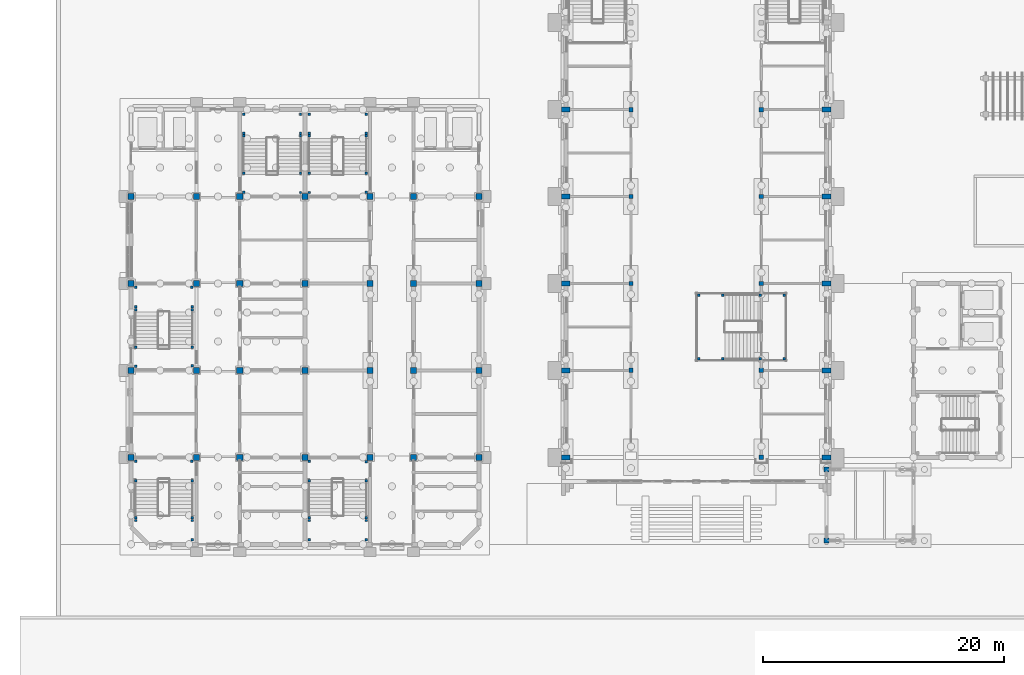
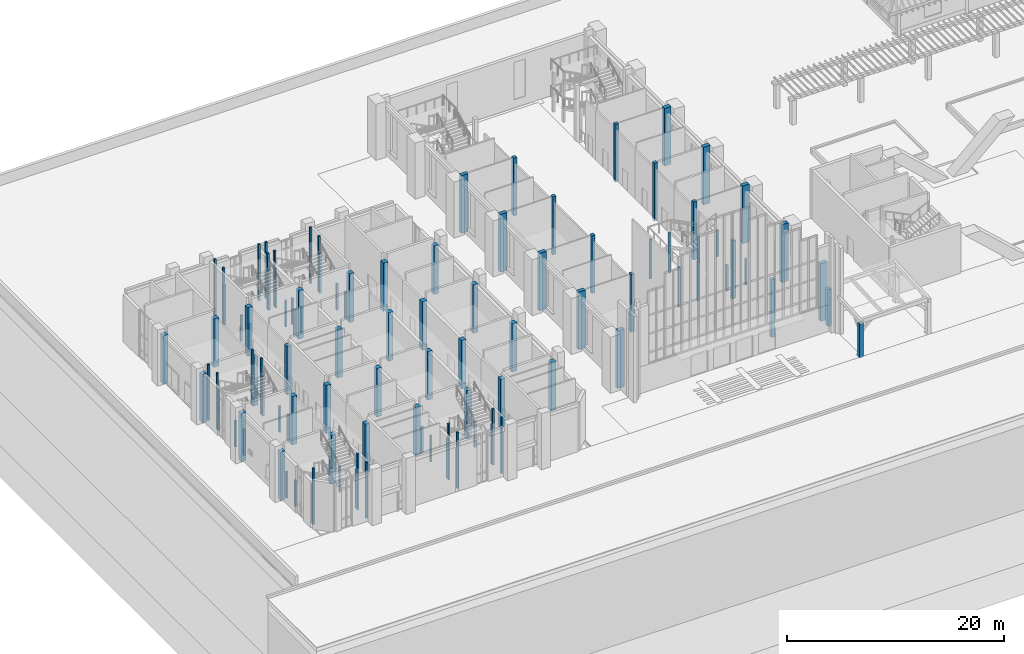
# One storey, part 4 of 84: 106 columns.
"""IFC4 building model written with IfcOpenShell, lengths in metres."""

from ifc_helpers import new_model, si_unit, direction, frame, origin, origin_2d, place, context, subcontext, project, spatial, rectangle, extrude, material, material_profile, profile_set, type_object, element, save


model = new_model("IFC4")

# Units and contexts
model_context = context("Model", 3, precision=1e-05, world=origin(), true_north=direction((0.0, 1.0)))
body_context = subcontext(model_context, "Body", "Model", "MODEL_VIEW")
ifc_project = project(units=[si_unit("LENGTHUNIT", "METRE"), si_unit("AREAUNIT", "SQUARE_METRE"), si_unit("VOLUMEUNIT", "CUBIC_METRE"), si_unit("PLANEANGLEUNIT", "RADIAN"), si_unit("MASSUNIT", "GRAM", prefix="KILO")], contexts=[model_context])

# Site, building, storey
site_placement = place(None, origin())
site = spatial("IfcSite", under=ifc_project, at=site_placement, CompositionType="ELEMENT")
building_placement = place(site_placement, origin())
building = spatial("IfcBuilding", under=site, at=building_placement, Name="Mazhai Court Health Centre", CompositionType="ELEMENT")
storey_placement = place(building_placement, origin())
storey = spatial("IfcBuildingStorey", under=building, at=storey_placement, Name="L00", CompositionType="ELEMENT", Elevation=0.0)

# Columns
ifc_material_1 = material(Name="Glulam GL28h", Category="wood")
ifc_material_profile_1 = material_profile(ifc_material_1, rectangle(XDim=0.360107421875, YDim=0.360107421875, at=origin_2d()), Name="GL28h 360x360")
ifc_profile_set_1 = profile_set([ifc_material_profile_1], Name="Glulam GL28h")
column_type_1 = type_object("IfcColumnType", Name="GL28h 360x360 column", PredefinedType="COLUMN", material=ifc_profile_set_1)
for number, where, z_axis, x_axis, name in (
    (1, (47.60009765625, 20.60009765625, -0.199951171875), (0.0, 0.0, 1.0), (1.0, 0.0, 0.0), "col-V1-L00-aW1"),
    (2, (47.60009765625, 27.800048828125, -0.199951171875), (0.0, 0.0, 1.0), (1.0, 0.0, 0.0), "col-V1-L00-aW2"),
    (3, (47.60009765625, 35.0, -0.199951171875), (0.0, 0.0, 1.0), (1.0, 0.0, 0.0), "col-V1-L00-aW3"),
    (4, (47.60009765625, 42.199951171875, -0.199951171875), (0.0, 0.0, 1.0), (1.0, 0.0, 0.0), "col-V1-L00-aW4"),
    (5, (58.39990234375, 13.39990234375, -0.199951171875), (0.0, 0.0, 1.0), (1.0, 0.0, 0.0), "col-V1-L00-aE0"),
    (6, (58.39990234375, 20.60009765625, -0.199951171875), (0.0, 0.0, 1.0), (1.0, 0.0, 0.0), "col-V1-L00-aE1"),
    (7, (58.39990234375, 27.800048828125, -0.199951171875), (0.0, 0.0, 1.0), (1.0, 0.0, 0.0), "col-V1-L00-aE2"),
    (8, (58.39990234375, 35.0, -0.199951171875), (0.0, 0.0, 1.0), (1.0, 0.0, 0.0), "col-V1-L00-aE3"),
    (9, (58.39990234375, 42.199951171875, -0.199951171875), (0.0, 0.0, 1.0), (1.0, 0.0, 0.0), "col-V1-L00-aE4"),
):
    element("IfcColumn", number, at=place(storey_placement, frame(where, z_axis=z_axis, x_axis=x_axis)), inside=storey, type_object=column_type_1, Name=name, PredefinedType="COLUMN", context=body_context, shape_type="SweptSolid", body=[
        extrude(rectangle(XDim=0.360107421875, YDim=0.360107421875, at=origin_2d()), origin(), (0.0, 0.0, 1.0), 6.5),
    ])
ifc_material_2 = material(Name="Glulam GL28h", Category="wood")
ifc_material_profile_2 = material_profile(ifc_material_2, rectangle(XDim=0.39990234375, YDim=0.39990234375, at=origin_2d()), Name="GL28h 400x400")
ifc_profile_set_2 = profile_set([ifc_material_profile_2], Name="Glulam GL28h")
column_type_2 = type_object("IfcColumnType", Name="GL28h 400x400 column", PredefinedType="COLUMN", material=ifc_profile_set_2)
column_1_placement = place(storey_placement, frame((63.800048828125, 6.5, -0.199951171875), z_axis=(0.0, 0.0, 1.0), x_axis=(1.0, 0.0, 0.0)))
element("IfcColumn", 10, at=column_1_placement, inside=storey, type_object=column_type_2, Name="col-AR-L00-f00", PredefinedType="COLUMN", context=body_context, shape_type="SweptSolid", body=[
    extrude(rectangle(XDim=0.39990234375, YDim=0.39990234375, at=origin_2d()), origin(), (0.0, 0.0, 1.0), 3.8056640625),
])
column_2_placement = place(storey_placement, frame((63.800048828125, 12.39990234375, -0.199951171875), z_axis=(0.0, 0.0, 1.0), x_axis=(1.0, 0.0, 0.0)))
element("IfcColumn", 11, at=column_2_placement, inside=storey, type_object=column_type_2, Name="col-AR-L00-r00", PredefinedType="COLUMN", context=body_context, shape_type="SweptSolid", body=[
    extrude(rectangle(XDim=0.39990234375, YDim=0.39990234375, at=origin_2d()), origin(), (0.0, 0.0, 1.0), 4.13330078125),
])
ifc_material_3 = material(Name="Glulam GL28h", Category="wood")
ifc_material_profile_3 = material_profile(ifc_material_3, rectangle(XDim=0.39990234375, YDim=0.719970703125, at=origin_2d()), Name="GL28h 400x720")
ifc_profile_set_3 = profile_set([ifc_material_profile_3], Name="Glulam GL28h")
column_type_3 = type_object("IfcColumnType", Name="GL28h 400x720 column", PredefinedType="COLUMN", material=ifc_profile_set_3)
for number, where, z_axis, x_axis, name in (
    (12, (42.199951171875, 13.39990234375, -0.199951171875), (0.0, 0.0, 1.0), (0.0, 1.0, 0.0), "col-V1-L00-wW0"),
    (13, (63.800048828125, 13.39990234375, -0.199951171875), (0.0, 0.0, 1.0), (0.0, 1.0, 0.0), "col-V1-L00-wE0"),
    (14, (42.199951171875, 20.60009765625, -0.199951171875), (0.0, 0.0, 1.0), (0.0, 1.0, 0.0), "col-V1-L00-wW1"),
    (15, (63.800048828125, 20.60009765625, -0.199951171875), (0.0, 0.0, 1.0), (0.0, 1.0, 0.0), "col-V1-L00-wE1"),
    (16, (42.199951171875, 27.800048828125, -0.199951171875), (0.0, 0.0, 1.0), (0.0, 1.0, 0.0), "col-V1-L00-wW2"),
    (17, (63.800048828125, 27.800048828125, -0.199951171875), (0.0, 0.0, 1.0), (0.0, 1.0, 0.0), "col-V1-L00-wE2"),
    (18, (42.199951171875, 35.0, -0.199951171875), (0.0, 0.0, 1.0), (0.0, 1.0, 0.0), "col-V1-L00-wW3"),
    (19, (63.800048828125, 35.0, -0.199951171875), (0.0, 0.0, 1.0), (0.0, 1.0, 0.0), "col-V1-L00-wE3"),
    (20, (42.199951171875, 42.199951171875, -0.199951171875), (0.0, 0.0, 1.0), (0.0, 1.0, 0.0), "col-V1-L00-wW4"),
    (21, (63.800048828125, 42.199951171875, -0.199951171875), (0.0, 0.0, 1.0), (0.0, 1.0, 0.0), "col-V1-L00-wE4"),
):
    element("IfcColumn", number, at=place(storey_placement, frame(where, z_axis=z_axis, x_axis=x_axis)), inside=storey, type_object=column_type_3, Name=name, PredefinedType="COLUMN", context=body_context, shape_type="SweptSolid", body=[
        extrude(rectangle(XDim=0.39990234375, YDim=0.719970703125, at=origin_2d()), origin(), (0.0, 0.0, 1.0), 6.5),
    ])
ifc_material_4 = material(Name="Concrete M40", Category="concrete")
ifc_material_profile_4 = material_profile(ifc_material_4, rectangle(XDim=0.5, YDim=0.5, at=origin_2d()), Name="RC 500x500")
ifc_profile_set_4 = profile_set([ifc_material_profile_4], Name="Concrete M40")
column_type_4 = type_object("IfcColumnType", Name="RC COLUMN 500x500 M40", PredefinedType="COLUMN", material=ifc_profile_set_4)
for number, where, z_axis, x_axis, name in (
    (22, (6.199951171875, 13.39990234375, -0.199951171875), (0.0, 0.0, 1.0), (1.0, 0.0, 0.0), "col-V2-L00-6.2-13.4"),
    (23, (6.199951171875, 20.60009765625, -0.199951171875), (0.0, 0.0, 1.0), (1.0, 0.0, 0.0), "col-V2-L00-6.2-20.6"),
    (24, (6.199951171875, 27.800048828125, -0.199951171875), (0.0, 0.0, 1.0), (1.0, 0.0, 0.0), "col-V2-L00-6.2-27.8"),
    (25, (6.199951171875, 35.0, -0.199951171875), (0.0, 0.0, 1.0), (1.0, 0.0, 0.0), "col-V2-L00-6.2-35"),
    (26, (11.60009765625, 13.39990234375, -0.199951171875), (0.0, 0.0, 1.0), (1.0, 0.0, 0.0), "col-V2-L00-11.6-13.4"),
    (27, (11.60009765625, 20.60009765625, -0.199951171875), (0.0, 0.0, 1.0), (1.0, 0.0, 0.0), "col-V2-L00-11.6-20.6"),
    (28, (11.60009765625, 27.800048828125, -0.199951171875), (0.0, 0.0, 1.0), (1.0, 0.0, 0.0), "col-V2-L00-11.6-27.8"),
    (29, (11.60009765625, 35.0, -0.199951171875), (0.0, 0.0, 1.0), (1.0, 0.0, 0.0), "col-V2-L00-11.6-35"),
    (30, (15.199951171875, 13.39990234375, -0.199951171875), (0.0, 0.0, 1.0), (1.0, 0.0, 0.0), "col-V2-L00-15.2-13.4"),
    (31, (15.199951171875, 20.60009765625, -0.199951171875), (0.0, 0.0, 1.0), (1.0, 0.0, 0.0), "col-V2-L00-15.2-20.6"),
    (32, (15.199951171875, 27.800048828125, -0.199951171875), (0.0, 0.0, 1.0), (1.0, 0.0, 0.0), "col-V2-L00-15.2-27.8"),
    (33, (15.199951171875, 35.0, -0.199951171875), (0.0, 0.0, 1.0), (1.0, 0.0, 0.0), "col-V2-L00-15.2-35"),
    (34, (20.60009765625, 13.39990234375, -0.199951171875), (0.0, 0.0, 1.0), (1.0, 0.0, 0.0), "col-V2-L00-20.6-13.4"),
    (35, (20.60009765625, 20.60009765625, -0.199951171875), (0.0, 0.0, 1.0), (1.0, 0.0, 0.0), "col-V2-L00-20.6-20.6"),
    (36, (20.60009765625, 27.800048828125, -0.199951171875), (0.0, 0.0, 1.0), (1.0, 0.0, 0.0), "col-V2-L00-20.6-27.8"),
    (37, (20.60009765625, 35.0, -0.199951171875), (0.0, 0.0, 1.0), (1.0, 0.0, 0.0), "col-V2-L00-20.6-35"),
    (38, (26.0, 13.39990234375, -0.199951171875), (0.0, 0.0, 1.0), (1.0, 0.0, 0.0), "col-V5-L00-26-13.4"),
    (39, (26.0, 20.60009765625, -0.199951171875), (0.0, 0.0, 1.0), (1.0, 0.0, 0.0), "col-V5-L00-26-20.6"),
    (40, (26.0, 27.800048828125, -0.199951171875), (0.0, 0.0, 1.0), (1.0, 0.0, 0.0), "col-V5-L00-26-27.8"),
    (41, (26.0, 35.0, -0.199951171875), (0.0, 0.0, 1.0), (1.0, 0.0, 0.0), "col-V5-L00-26-35"),
    (42, (29.60009765625, 13.39990234375, -0.199951171875), (0.0, 0.0, 1.0), (1.0, 0.0, 0.0), "col-V5-L00-29.6-13.4"),
    (43, (29.60009765625, 20.60009765625, -0.199951171875), (0.0, 0.0, 1.0), (1.0, 0.0, 0.0), "col-V5-L00-29.6-20.6"),
    (44, (29.60009765625, 27.800048828125, -0.199951171875), (0.0, 0.0, 1.0), (1.0, 0.0, 0.0), "col-V5-L00-29.6-27.8"),
    (45, (29.60009765625, 35.0, -0.199951171875), (0.0, 0.0, 1.0), (1.0, 0.0, 0.0), "col-V5-L00-29.6-35"),
    (46, (35.0, 13.39990234375, -0.199951171875), (0.0, 0.0, 1.0), (1.0, 0.0, 0.0), "col-V5-L00-35-13.4"),
    (47, (35.0, 20.60009765625, -0.199951171875), (0.0, 0.0, 1.0), (1.0, 0.0, 0.0), "col-V5-L00-35-20.6"),
    (48, (35.0, 27.800048828125, -0.199951171875), (0.0, 0.0, 1.0), (1.0, 0.0, 0.0), "col-V5-L00-35-27.8"),
    (49, (35.0, 35.0, -0.199951171875), (0.0, 0.0, 1.0), (1.0, 0.0, 0.0), "col-V5-L00-35-35"),
):
    element("IfcColumn", number, at=place(storey_placement, frame(where, z_axis=z_axis, x_axis=x_axis)), inside=storey, type_object=column_type_4, Name=name, PredefinedType="COLUMN", context=body_context, shape_type="SweptSolid", body=[
        extrude(rectangle(XDim=0.5, YDim=0.5, at=origin_2d()), origin(), (0.0, 0.0, 1.0), 5.449951171875),
    ])
ifc_material_5 = material(Name="Concrete M40", Category="concrete")
ifc_material_profile_5 = material_profile(ifc_material_5, rectangle(XDim=0.199951171875, YDim=0.199951171875, at=origin_2d()), Name="RC 200x200")
ifc_profile_set_5 = profile_set([ifc_material_profile_5], Name="Concrete M40")
column_type_5 = type_object("IfcColumnType", Name="RC STAIR LANDING POST 200 M40", PredefinedType="COLUMN", material=ifc_profile_set_5)
column_3_placement = place(storey_placement, frame((6.570068359375, 8.3798828125, 0.0), z_axis=(0.0, 0.0, 1.0), x_axis=(1.0, 0.0, 0.0)))
element("IfcColumn", 50, at=column_3_placement, inside=storey, type_object=column_type_5, Name="post-ST1-01", PredefinedType="COLUMN", context=body_context, shape_type="SweptSolid", body=[
    extrude(rectangle(XDim=0.199951171875, YDim=0.199951171875, at=origin_2d()), origin(), (0.0, 0.0, 1.0), 4.449951171875),
])
column_4_placement = place(storey_placement, frame((11.280029296875, 6.570068359375, 0.0), z_axis=(0.0, 0.0, 1.0), x_axis=(1.0, 0.0, 0.0)))
element("IfcColumn", 51, at=column_4_placement, inside=storey, type_object=column_type_5, Name="post-ST1-02", PredefinedType="COLUMN", context=body_context, shape_type="SweptSolid", body=[
    extrude(rectangle(XDim=0.199951171875, YDim=0.199951171875, at=origin_2d()), origin(), (0.0, 0.0, 1.0), 6.300048828125),
])
column_5_placement = place(storey_placement, frame((11.280029296875, 8.3798828125, 0.0), z_axis=(0.0, 0.0, 1.0), x_axis=(1.0, 0.0, 0.0)))
element("IfcColumn", 52, at=column_5_placement, inside=storey, type_object=column_type_5, Name="post-ST1-05", PredefinedType="COLUMN", context=body_context, shape_type="SweptSolid", body=[
    extrude(rectangle(XDim=0.199951171875, YDim=0.199951171875, at=origin_2d()), origin(), (0.0, 0.0, 1.0), 4.449951171875),
])
for number, where, z_axis, x_axis, name in (
    (53, (6.570068359375, 11.469970703125, 0.0), (0.0, 0.0, 1.0), (1.0, 0.0, 0.0), "post-ST1-06"),
    (54, (6.570068359375, 13.080078125, 0.0), (0.0, 0.0, 1.0), (1.0, 0.0, 0.0), "post-ST1-07"),
    (55, (11.280029296875, 11.469970703125, 0.0), (0.0, 0.0, 1.0), (1.0, 0.0, 0.0), "post-ST1-08"),
    (56, (11.22998046875, 13.080078125, 0.0), (0.0, 0.0, 1.0), (1.0, 0.0, 0.0), "post-ST1-09"),
):
    element("IfcColumn", number, at=place(storey_placement, frame(where, z_axis=z_axis, x_axis=x_axis)), inside=storey, type_object=column_type_5, Name=name, PredefinedType="COLUMN", context=body_context, shape_type="SweptSolid", body=[
        extrude(rectangle(XDim=0.199951171875, YDim=0.199951171875, at=origin_2d()), origin(), (0.0, 0.0, 1.0), 2.949951171875),
    ])
for number, where, z_axis, x_axis, name in (
    (57, (6.570068359375, 8.169921875, 0.0), (0.0, 0.0, 1.0), (1.0, 0.0, 0.0), "post-ST1-10"),
    (58, (11.280029296875, 8.169921875, 0.0), (0.0, 0.0, 1.0), (1.0, 0.0, 0.0), "post-ST1-13"),
):
    element("IfcColumn", number, at=place(storey_placement, frame(where, z_axis=z_axis, x_axis=x_axis)), inside=storey, type_object=column_type_5, Name=name, PredefinedType="COLUMN", context=body_context, shape_type="SweptSolid", body=[
        extrude(rectangle(XDim=0.199951171875, YDim=0.199951171875, at=origin_2d()), origin(), (0.0, 0.0, 1.0), 6.300048828125),
    ])
column_6_placement = place(storey_placement, frame((6.570068359375, 25.6201171875, 0.0), z_axis=(0.0, 0.0, 1.0), x_axis=(1.0, 0.0, 0.0)))
element("IfcColumn", 59, at=column_6_placement, inside=storey, type_object=column_type_5, Name="post-ST2-01", PredefinedType="COLUMN", context=body_context, shape_type="SweptSolid", body=[
    extrude(rectangle(XDim=0.199951171875, YDim=0.199951171875, at=origin_2d()), origin(), (0.0, 0.0, 1.0), 4.449951171875),
])
column_7_placement = place(storey_placement, frame((6.570068359375, 27.47998046875, 0.0), z_axis=(0.0, 0.0, 1.0), x_axis=(1.0, 0.0, 0.0)))
element("IfcColumn", 60, at=column_7_placement, inside=storey, type_object=column_type_5, Name="post-ST2-02", PredefinedType="COLUMN", context=body_context, shape_type="SweptSolid", body=[
    extrude(rectangle(XDim=0.199951171875, YDim=0.199951171875, at=origin_2d()), origin(), (0.0, 0.0, 1.0), 6.300048828125),
])
column_8_placement = place(storey_placement, frame((11.280029296875, 25.6201171875, 0.0), z_axis=(0.0, 0.0, 1.0), x_axis=(1.0, 0.0, 0.0)))
element("IfcColumn", 61, at=column_8_placement, inside=storey, type_object=column_type_5, Name="post-ST2-05", PredefinedType="COLUMN", context=body_context, shape_type="SweptSolid", body=[
    extrude(rectangle(XDim=0.199951171875, YDim=0.199951171875, at=origin_2d()), origin(), (0.0, 0.0, 1.0), 4.449951171875),
])
column_9_placement = place(storey_placement, frame((11.22998046875, 27.47998046875, 0.0), z_axis=(0.0, 0.0, 1.0), x_axis=(1.0, 0.0, 0.0)))
element("IfcColumn", 62, at=column_9_placement, inside=storey, type_object=column_type_5, Name="post-ST2-06", PredefinedType="COLUMN", context=body_context, shape_type="SweptSolid", body=[
    extrude(rectangle(XDim=0.199951171875, YDim=0.199951171875, at=origin_2d()), origin(), (0.0, 0.0, 1.0), 6.300048828125),
])
for number, where, z_axis, x_axis, name in (
    (63, (6.570068359375, 20.929931640625, 0.0), (0.0, 0.0, 1.0), (1.0, 0.0, 0.0), "post-ST2-09"),
    (64, (6.570068359375, 22.530029296875, 0.0), (0.0, 0.0, 1.0), (1.0, 0.0, 0.0), "post-ST2-10"),
    (65, (11.280029296875, 20.969970703125, 0.0), (0.0, 0.0, 1.0), (1.0, 0.0, 0.0), "post-ST2-11"),
    (66, (11.280029296875, 22.530029296875, 0.0), (0.0, 0.0, 1.0), (1.0, 0.0, 0.0), "post-ST2-12"),
):
    element("IfcColumn", number, at=place(storey_placement, frame(where, z_axis=z_axis, x_axis=x_axis)), inside=storey, type_object=column_type_5, Name=name, PredefinedType="COLUMN", context=body_context, shape_type="SweptSolid", body=[
        extrude(rectangle(XDim=0.199951171875, YDim=0.199951171875, at=origin_2d()), origin(), (0.0, 0.0, 1.0), 2.949951171875),
    ])
for number, where, z_axis, x_axis, name in (
    (67, (6.570068359375, 25.8798828125, 0.0), (0.0, 0.0, 1.0), (1.0, 0.0, 0.0), "post-ST2-13"),
    (68, (11.280029296875, 25.8798828125, 0.0), (0.0, 0.0, 1.0), (1.0, 0.0, 0.0), "post-ST2-16"),
):
    element("IfcColumn", number, at=place(storey_placement, frame(where, z_axis=z_axis, x_axis=x_axis)), inside=storey, type_object=column_type_5, Name=name, PredefinedType="COLUMN", context=body_context, shape_type="SweptSolid", body=[
        extrude(rectangle(XDim=0.199951171875, YDim=0.199951171875, at=origin_2d()), origin(), (0.0, 0.0, 1.0), 6.300048828125),
    ])
column_10_placement = place(storey_placement, frame((15.52001953125, 40.030029296875, 0.0), z_axis=(0.0, 0.0, 1.0), x_axis=(1.0, 0.0, 0.0)))
element("IfcColumn", 69, at=column_10_placement, inside=storey, type_object=column_type_5, Name="post-ST3-01", PredefinedType="COLUMN", context=body_context, shape_type="SweptSolid", body=[
    extrude(rectangle(XDim=0.199951171875, YDim=0.199951171875, at=origin_2d()), origin(), (0.0, 0.0, 1.0), 4.449951171875),
])
column_11_placement = place(storey_placement, frame((15.52001953125, 41.830078125, 0.0), z_axis=(0.0, 0.0, 1.0), x_axis=(1.0, 0.0, 0.0)))
element("IfcColumn", 70, at=column_11_placement, inside=storey, type_object=column_type_5, Name="post-ST3-02", PredefinedType="COLUMN", context=body_context, shape_type="SweptSolid", body=[
    extrude(rectangle(XDim=0.199951171875, YDim=0.199951171875, at=origin_2d()), origin(), (0.0, 0.0, 1.0), 6.300048828125),
])
column_12_placement = place(storey_placement, frame((20.22998046875, 40.030029296875, 0.0), z_axis=(0.0, 0.0, 1.0), x_axis=(1.0, 0.0, 0.0)))
element("IfcColumn", 71, at=column_12_placement, inside=storey, type_object=column_type_5, Name="post-ST3-06", PredefinedType="COLUMN", context=body_context, shape_type="SweptSolid", body=[
    extrude(rectangle(XDim=0.199951171875, YDim=0.199951171875, at=origin_2d()), origin(), (0.0, 0.0, 1.0), 4.449951171875),
])
column_13_placement = place(storey_placement, frame((20.22998046875, 41.830078125, 0.0), z_axis=(0.0, 0.0, 1.0), x_axis=(1.0, 0.0, 0.0)))
element("IfcColumn", 72, at=column_13_placement, inside=storey, type_object=column_type_5, Name="post-ST3-07", PredefinedType="COLUMN", context=body_context, shape_type="SweptSolid", body=[
    extrude(rectangle(XDim=0.199951171875, YDim=0.199951171875, at=origin_2d()), origin(), (0.0, 0.0, 1.0), 6.300048828125),
])
for number, where, z_axis, x_axis, name in (
    (73, (15.52001953125, 35.3701171875, 0.0), (0.0, 0.0, 1.0), (1.0, 0.0, 0.0), "post-ST3-11"),
    (74, (15.52001953125, 36.919921875, 0.0), (0.0, 0.0, 1.0), (1.0, 0.0, 0.0), "post-ST3-12"),
    (75, (20.22998046875, 35.330078125, 0.0), (0.0, 0.0, 1.0), (1.0, 0.0, 0.0), "post-ST3-13"),
    (76, (20.22998046875, 36.919921875, 0.0), (0.0, 0.0, 1.0), (1.0, 0.0, 0.0), "post-ST3-14"),
):
    element("IfcColumn", number, at=place(storey_placement, frame(where, z_axis=z_axis, x_axis=x_axis)), inside=storey, type_object=column_type_5, Name=name, PredefinedType="COLUMN", context=body_context, shape_type="SweptSolid", body=[
        extrude(rectangle(XDim=0.199951171875, YDim=0.199951171875, at=origin_2d()), origin(), (0.0, 0.0, 1.0), 2.949951171875),
    ])
for number, where, z_axis, x_axis, name in (
    (77, (15.52001953125, 40.22998046875, 0.0), (0.0, 0.0, 1.0), (1.0, 0.0, 0.0), "post-ST3-15"),
    (78, (20.22998046875, 40.22998046875, 0.0), (0.0, 0.0, 1.0), (1.0, 0.0, 0.0), "post-ST3-19"),
    (79, (20.9599609375, 6.570068359375, 0.0), (0.0, 0.0, 1.0), (1.0, 0.0, 0.0), "post-ST4-01"),
):
    element("IfcColumn", number, at=place(storey_placement, frame(where, z_axis=z_axis, x_axis=x_axis)), inside=storey, type_object=column_type_5, Name=name, PredefinedType="COLUMN", context=body_context, shape_type="SweptSolid", body=[
        extrude(rectangle(XDim=0.199951171875, YDim=0.199951171875, at=origin_2d()), origin(), (0.0, 0.0, 1.0), 6.300048828125),
    ])
column_14_placement = place(storey_placement, frame((20.9599609375, 8.3798828125, 0.0), z_axis=(0.0, 0.0, 1.0), x_axis=(1.0, 0.0, 0.0)))
element("IfcColumn", 80, at=column_14_placement, inside=storey, type_object=column_type_5, Name="post-ST4-04", PredefinedType="COLUMN", context=body_context, shape_type="SweptSolid", body=[
    extrude(rectangle(XDim=0.199951171875, YDim=0.199951171875, at=origin_2d()), origin(), (0.0, 0.0, 1.0), 4.449951171875),
])
column_15_placement = place(storey_placement, frame((25.679931640625, 6.570068359375, 0.0), z_axis=(0.0, 0.0, 1.0), x_axis=(1.0, 0.0, 0.0)))
element("IfcColumn", 81, at=column_15_placement, inside=storey, type_object=column_type_5, Name="post-ST4-05", PredefinedType="COLUMN", context=body_context, shape_type="SweptSolid", body=[
    extrude(rectangle(XDim=0.199951171875, YDim=0.199951171875, at=origin_2d()), origin(), (0.0, 0.0, 1.0), 6.300048828125),
])
column_16_placement = place(storey_placement, frame((25.679931640625, 8.3798828125, 0.0), z_axis=(0.0, 0.0, 1.0), x_axis=(1.0, 0.0, 0.0)))
element("IfcColumn", 82, at=column_16_placement, inside=storey, type_object=column_type_5, Name="post-ST4-08", PredefinedType="COLUMN", context=body_context, shape_type="SweptSolid", body=[
    extrude(rectangle(XDim=0.199951171875, YDim=0.199951171875, at=origin_2d()), origin(), (0.0, 0.0, 1.0), 4.449951171875),
])
for number, where, z_axis, x_axis, name in (
    (83, (20.9599609375, 11.469970703125, 0.0), (0.0, 0.0, 1.0), (1.0, 0.0, 0.0), "post-ST4-09"),
    (84, (20.9599609375, 13.080078125, 0.0), (0.0, 0.0, 1.0), (1.0, 0.0, 0.0), "post-ST4-10"),
    (85, (25.679931640625, 11.469970703125, 0.0), (0.0, 0.0, 1.0), (1.0, 0.0, 0.0), "post-ST4-11"),
    (86, (25.679931640625, 13.030029296875, 0.0), (0.0, 0.0, 1.0), (1.0, 0.0, 0.0), "post-ST4-12"),
):
    element("IfcColumn", number, at=place(storey_placement, frame(where, z_axis=z_axis, x_axis=x_axis)), inside=storey, type_object=column_type_5, Name=name, PredefinedType="COLUMN", context=body_context, shape_type="SweptSolid", body=[
        extrude(rectangle(XDim=0.199951171875, YDim=0.199951171875, at=origin_2d()), origin(), (0.0, 0.0, 1.0), 2.949951171875),
    ])
for number, where, z_axis, x_axis, name in (
    (87, (20.9599609375, 8.169921875, 0.0), (0.0, 0.0, 1.0), (1.0, 0.0, 0.0), "post-ST4-13"),
    (88, (25.679931640625, 8.169921875, 0.0), (0.0, 0.0, 1.0), (1.0, 0.0, 0.0), "post-ST4-16"),
):
    element("IfcColumn", number, at=place(storey_placement, frame(where, z_axis=z_axis, x_axis=x_axis)), inside=storey, type_object=column_type_5, Name=name, PredefinedType="COLUMN", context=body_context, shape_type="SweptSolid", body=[
        extrude(rectangle(XDim=0.199951171875, YDim=0.199951171875, at=origin_2d()), origin(), (0.0, 0.0, 1.0), 6.300048828125),
    ])
column_17_placement = place(storey_placement, frame((20.9599609375, 40.030029296875, 0.0), z_axis=(0.0, 0.0, 1.0), x_axis=(1.0, 0.0, 0.0)))
element("IfcColumn", 89, at=column_17_placement, inside=storey, type_object=column_type_5, Name="post-ST5-01", PredefinedType="COLUMN", context=body_context, shape_type="SweptSolid", body=[
    extrude(rectangle(XDim=0.199951171875, YDim=0.199951171875, at=origin_2d()), origin(), (0.0, 0.0, 1.0), 4.449951171875),
])
column_18_placement = place(storey_placement, frame((20.9599609375, 41.830078125, 0.0), z_axis=(0.0, 0.0, 1.0), x_axis=(1.0, 0.0, 0.0)))
element("IfcColumn", 90, at=column_18_placement, inside=storey, type_object=column_type_5, Name="post-ST5-02", PredefinedType="COLUMN", context=body_context, shape_type="SweptSolid", body=[
    extrude(rectangle(XDim=0.199951171875, YDim=0.199951171875, at=origin_2d()), origin(), (0.0, 0.0, 1.0), 6.300048828125),
])
column_19_placement = place(storey_placement, frame((25.679931640625, 40.030029296875, 0.0), z_axis=(0.0, 0.0, 1.0), x_axis=(1.0, 0.0, 0.0)))
element("IfcColumn", 91, at=column_19_placement, inside=storey, type_object=column_type_5, Name="post-ST5-05", PredefinedType="COLUMN", context=body_context, shape_type="SweptSolid", body=[
    extrude(rectangle(XDim=0.199951171875, YDim=0.199951171875, at=origin_2d()), origin(), (0.0, 0.0, 1.0), 4.449951171875),
])
column_20_placement = place(storey_placement, frame((25.679931640625, 41.830078125, 0.0), z_axis=(0.0, 0.0, 1.0), x_axis=(1.0, 0.0, 0.0)))
element("IfcColumn", 92, at=column_20_placement, inside=storey, type_object=column_type_5, Name="post-ST5-06", PredefinedType="COLUMN", context=body_context, shape_type="SweptSolid", body=[
    extrude(rectangle(XDim=0.199951171875, YDim=0.199951171875, at=origin_2d()), origin(), (0.0, 0.0, 1.0), 6.300048828125),
])
for number, where, z_axis, x_axis, name in (
    (93, (20.9599609375, 35.330078125, 0.0), (0.0, 0.0, 1.0), (1.0, 0.0, 0.0), "post-ST5-09"),
    (94, (20.9599609375, 36.919921875, 0.0), (0.0, 0.0, 1.0), (1.0, 0.0, 0.0), "post-ST5-10"),
    (95, (25.679931640625, 35.3701171875, 0.0), (0.0, 0.0, 1.0), (1.0, 0.0, 0.0), "post-ST5-11"),
    (96, (25.679931640625, 36.919921875, 0.0), (0.0, 0.0, 1.0), (1.0, 0.0, 0.0), "post-ST5-12"),
):
    element("IfcColumn", number, at=place(storey_placement, frame(where, z_axis=z_axis, x_axis=x_axis)), inside=storey, type_object=column_type_5, Name=name, PredefinedType="COLUMN", context=body_context, shape_type="SweptSolid", body=[
        extrude(rectangle(XDim=0.199951171875, YDim=0.199951171875, at=origin_2d()), origin(), (0.0, 0.0, 1.0), 2.949951171875),
    ])
for number, where, z_axis, x_axis, name in (
    (97, (20.9599609375, 40.22998046875, 0.0), (0.0, 0.0, 1.0), (1.0, 0.0, 0.0), "post-ST5-13"),
    (98, (25.679931640625, 40.22998046875, 0.0), (0.0, 0.0, 1.0), (1.0, 0.0, 0.0), "post-ST5-16"),
):
    element("IfcColumn", number, at=place(storey_placement, frame(where, z_axis=z_axis, x_axis=x_axis)), inside=storey, type_object=column_type_5, Name=name, PredefinedType="COLUMN", context=body_context, shape_type="SweptSolid", body=[
        extrude(rectangle(XDim=0.199951171875, YDim=0.199951171875, at=origin_2d()), origin(), (0.0, 0.0, 1.0), 6.300048828125),
    ])
for number, where, z_axis, x_axis, name in (
    (99, (53.199951171875, 21.570068359375, 0.0), (0.0, 0.0, 1.0), (1.0, 0.0, 0.0), "post-ST13-01"),
    (100, (53.199951171875, 26.820068359375, 0.0), (0.0, 0.0, 1.0), (1.0, 0.0, 0.0), "post-ST13-02"),
    (101, (55.199951171875, 21.570068359375, 0.0), (0.0, 0.0, 1.0), (1.0, 0.0, 0.0), "post-ST13-03"),
    (102, (55.199951171875, 26.820068359375, 0.0), (0.0, 0.0, 1.0), (1.0, 0.0, 0.0), "post-ST13-04"),
):
    element("IfcColumn", number, at=place(storey_placement, frame(where, z_axis=z_axis, x_axis=x_axis)), inside=storey, type_object=column_type_5, Name=name, PredefinedType="COLUMN", context=body_context, shape_type="SweptSolid", body=[
        extrude(rectangle(XDim=0.199951171875, YDim=0.199951171875, at=origin_2d()), origin(), (0.0, 0.0, 1.0), 4.449951171875),
    ])
for number, where, z_axis, x_axis, name in (
    (103, (58.300048828125, 21.570068359375, 0.0), (0.0, 0.0, 1.0), (1.0, 0.0, 0.0), "post-ST13-05"),
    (104, (58.300048828125, 26.820068359375, 0.0), (0.0, 0.0, 1.0), (1.0, 0.0, 0.0), "post-ST13-06"),
    (105, (60.300048828125, 21.570068359375, 0.0), (0.0, 0.0, 1.0), (1.0, 0.0, 0.0), "post-ST13-07"),
    (106, (60.300048828125, 26.820068359375, 0.0), (0.0, 0.0, 1.0), (1.0, 0.0, 0.0), "post-ST13-08"),
):
    element("IfcColumn", number, at=place(storey_placement, frame(where, z_axis=z_axis, x_axis=x_axis)), inside=storey, type_object=column_type_5, Name=name, PredefinedType="COLUMN", context=body_context, shape_type="SweptSolid", body=[
        extrude(rectangle(XDim=0.199951171875, YDim=0.199951171875, at=origin_2d()), origin(), (0.0, 0.0, 1.0), 2.949951171875),
    ])

save(model, "model.ifc")
